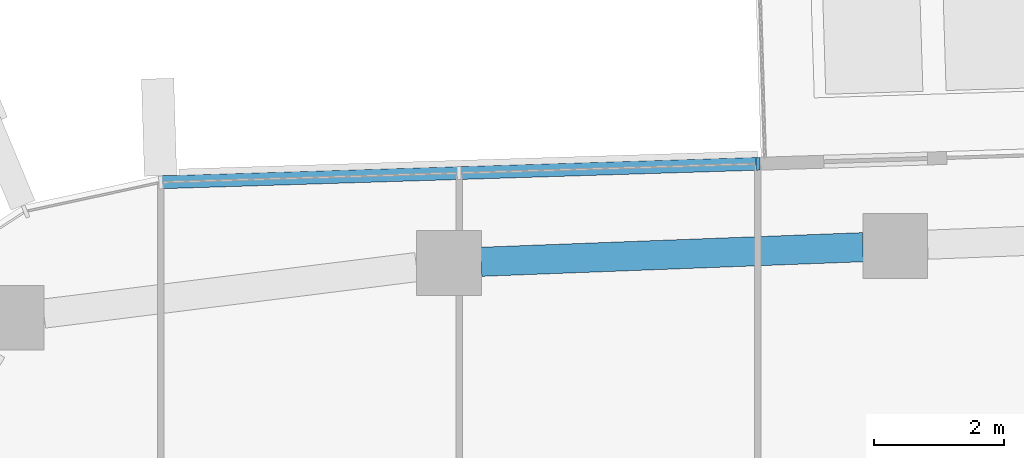
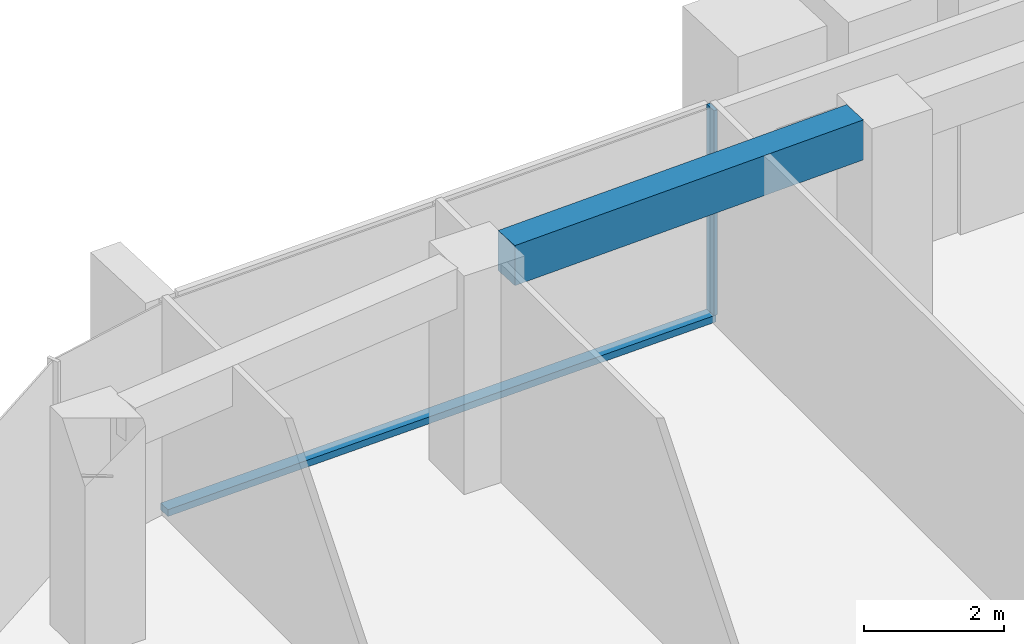
# One storey, part 7 of 24: 2 members, 1 beam, 1 element without a shape of its own.
"""IFC4 building model written with IfcOpenShell, lengths in metres."""

import ifcopenshell
import ifcopenshell.guid

model = None  # the IFC model being written
_history = None  # IfcOwnerHistory: only IFC2X3 demands one
_inside = {}  # id of a spatial element -> (the spatial element, [elements in it])
_under = {}  # id of a project, library or spatial element -> (it, [spatial elements below it])
_declared = {}  # id of a project -> (the project, [libraries it declares])
_typed = {}  # id of a type object -> (the type object, [elements of that type])
_made_of = {}  # id of a material, layer set ... -> (it, [elements and type objects made of it])


def new_model(schema):
    """Start an empty IFC model of exactly this schema.

    Asked for "IFC4X3", IfcOpenShell would pick the latest addendum, in which some entities
    have other attributes; the version numbers below select the first issue.
    IFC2X3 requires an IfcOwnerHistory on every rooted entity: one is made here for all.
    """
    global model, _history
    if schema == "IFC4X3":
        model = ifcopenshell.file(schema_version=(4, 3, 0, 0))
    else:
        model = ifcopenshell.file(schema=schema)
    _inside.clear()
    _under.clear()
    _declared.clear()
    _typed.clear()
    _made_of.clear()
    _history = None
    if model.schema == "IFC2X3":
        org = make("IfcOrganization", Name="unknown")
        user = make(
            "IfcPersonAndOrganization",
            ThePerson=make("IfcPerson", FamilyName="unknown"),
            TheOrganization=org,
        )
        app = make(
            "IfcApplication",
            ApplicationDeveloper=org,
            Version="unknown",
            ApplicationFullName="unknown",
            ApplicationIdentifier="unknown",
        )
        _history = make(
            "IfcOwnerHistory",
            OwningUser=user,
            OwningApplication=app,
            ChangeAction="ADDED",
            CreationDate=0,
        )
    return model


def make(cls, **values):
    """One entity of the class cls with the attributes given. An attribute that is None is left unset."""
    return model.create_entity(
        cls, **{name: value for name, value in values.items() if value is not None}
    )


def rooted(cls, **values):
    """An entity with a GlobalId (a new one), such as an element, a storey or a relation."""
    return make(cls, GlobalId=ifcopenshell.guid.new(), OwnerHistory=_history, **values)


def si_unit(unit_type, name, prefix=None):
    """IfcSIUnit, for example si_unit("LENGTHUNIT", "METRE", prefix="MILLI")."""
    return make("IfcSIUnit", UnitType=unit_type, Prefix=prefix, Name=name)


def assignment(units):
    """IfcUnitAssignment: the units of a project."""
    return None if units is None else make("IfcUnitAssignment", Units=units)


def point(xyz):
    """IfcCartesianPoint."""
    return None if xyz is None else make("IfcCartesianPoint", Coordinates=xyz)


def direction(xyz):
    """IfcDirection."""
    return None if xyz is None else make("IfcDirection", DirectionRatios=xyz)


def frame(location, z_axis=None, x_axis=None):
    """IfcAxis2Placement3D, a coordinate frame: its origin and axes. An axis left out is left unset."""
    return make(
        "IfcAxis2Placement3D",
        Location=point(location),
        Axis=direction(z_axis),
        RefDirection=direction(x_axis),
    )


def frame_2d(location, x_axis=None):
    """IfcAxis2Placement2D, a coordinate frame in the plane: its origin and x axis."""
    return make(
        "IfcAxis2Placement2D", Location=point(location), RefDirection=direction(x_axis)
    )


def origin():
    """The frame at (0, 0, 0) with its axes left unset."""
    return frame((0.0, 0.0, 0.0))


def origin_2d():
    """The frame at (0, 0) in the plane with its x axis left unset."""
    return frame_2d((0.0, 0.0))


def place(relative_to, where):
    """IfcLocalPlacement: puts the frame where relative to a parent placement (None: the world)."""
    return make(
        "IfcLocalPlacement", PlacementRelTo=relative_to, RelativePlacement=where
    )


def context(
    kind, dimensions, precision=None, world=None, true_north=None, identifier=None
):
    """IfcGeometricRepresentationContext, for example the 3D "Model" context."""
    return make(
        "IfcGeometricRepresentationContext",
        ContextIdentifier=identifier,
        ContextType=kind,
        CoordinateSpaceDimension=dimensions,
        Precision=precision,
        WorldCoordinateSystem=world,
        TrueNorth=true_north,
    )


def subcontext(parent, identifier, kind, view, scale=None):
    """IfcGeometricRepresentationSubContext, for example "Body" below "Model"."""
    return make(
        "IfcGeometricRepresentationSubContext",
        ContextIdentifier=identifier,
        ContextType=kind,
        ParentContext=parent,
        TargetScale=scale,
        TargetView=view,
    )


def project(units=None, contexts=None):
    """IfcProject with its units and contexts."""
    return rooted(
        "IfcProject",
        Name="project",
        RepresentationContexts=contexts,
        UnitsInContext=assignment(units),
    )


def spatial(cls, under=None, at=None, **own):
    """A site, building, storey or space (cls), placed at a placement, below another one or the project."""
    s = rooted(cls, ObjectPlacement=at, **own)
    if under is not None:
        _under.setdefault(under.id(), (under, []))[1].append(s)
    return s


def profile(cls, at=None, kind="AREA", **sizes):
    """A parametric profile (cls). Its sizes go by their IFC names, for example OverallWidth=200.0."""
    return make(cls, ProfileType=kind, Position=at, **sizes)


def rectangle(**sizes):
    """IfcRectangleProfileDef."""
    return profile("IfcRectangleProfileDef", **sizes)


def extrude(swept, where, along, depth):
    """IfcExtrudedAreaSolid: the profile swept, set in the frame where, extruded along a direction by depth."""
    return make(
        "IfcExtrudedAreaSolid",
        SweptArea=swept,
        Position=where,
        ExtrudedDirection=direction(along),
        Depth=depth,
    )


def shape(context_of_items, identifier, shape_type, items):
    """IfcShapeRepresentation: the items that make up one representation, for example the "Body"."""
    return make(
        "IfcShapeRepresentation",
        ContextOfItems=context_of_items,
        RepresentationIdentifier=identifier,
        RepresentationType=shape_type,
        Items=items,
    )


def material(Name=None, Category=None):
    """IfcMaterial."""
    return make("IfcMaterial", Name=Name, Category=Category)


def layer(
    of_material, thickness, ventilated=None, Name=None, Category=None, Priority=None
):
    """IfcMaterialLayer: one layer of a wall or slab, of a material (None: an air gap)."""
    return make(
        "IfcMaterialLayer",
        Material=of_material,
        LayerThickness=thickness,
        IsVentilated=ventilated,
        Name=Name,
        Category=Category,
        Priority=Priority,
    )


def layer_set(layers, Name=None):
    """IfcMaterialLayerSet."""
    return make("IfcMaterialLayerSet", MaterialLayers=layers, LayerSetName=Name)


def material_profile(
    of_material, cross_section, Name=None, Category=None, Priority=None
):
    """IfcMaterialProfile: a cross section and its material."""
    return make(
        "IfcMaterialProfile",
        Name=Name,
        Material=of_material,
        Profile=cross_section,
        Priority=Priority,
        Category=Category,
    )


def profile_set(profiles, Name=None, composite=None):
    """IfcMaterialProfileSet."""
    return make(
        "IfcMaterialProfileSet",
        Name=Name,
        MaterialProfiles=profiles,
        CompositeProfile=composite,
    )


def made_of(thing, what):
    """Note that an element or type object is made of a material, layer set ...; save() writes the relation."""
    if what is not None:
        _made_of.setdefault(what.id(), (what, []))[1].append(thing)
    return thing


def type_object(cls, material=None, **own):
    """A type object (cls), such as IfcWallType, which elements share."""
    return made_of(rooted(cls, **own), material)


def element(
    cls,
    number,
    at=None,
    inside=None,
    cuts=None,
    type_object=None,
    material=None,
    context=None,
    identifier="Body",
    shape_type=None,
    held_by="IfcProductDefinitionShape",
    body=None,
    shapes=None,
    **own,
):
    """One element of the class cls, such as IfcWall. Its Tag is "e" and its number.

    at: its placement. inside: the storey or other place that contains it. cuts: it is an
    opening in that element (IfcRelVoidsElement). A single representation is given by context,
    identifier, shape_type and body (its items); several are given by shapes. held_by: the class
    of the entity that holds the representations. save() writes the other relations.
    """
    e = rooted(cls, Tag="e%d" % number, ObjectPlacement=at, **own)
    if body is not None:
        shapes = [shape(context, identifier, shape_type, body)]
    if shapes is not None:
        e.Representation = make(held_by, Representations=shapes)
    if inside is not None:
        _inside.setdefault(inside.id(), (inside, []))[1].append(e)
    if cuts is not None:
        rooted(
            "IfcRelVoidsElement", RelatingBuildingElement=cuts, RelatedOpeningElement=e
        )
    if type_object is not None:
        _typed.setdefault(type_object.id(), (type_object, []))[1].append(e)
    return made_of(e, material)


def aggregate(whole, parts):
    """IfcRelAggregates: a whole, such as a stair, and the parts it consists of."""
    return rooted("IfcRelAggregates", RelatingObject=whole, RelatedObjects=parts)


def save(model, path):
    """Write the relations noted so far, then the file.

    IfcRelAggregates (storeys below a building ...), IfcRelContainedInSpatialStructure (elements
    in a storey), IfcRelDefinesByType, IfcRelAssociatesMaterial and IfcRelDeclares: one each for
    every whole, place, type object, material and project.
    """
    for whole, parts in _under.values():
        aggregate(whole, parts)
    for where, things in _inside.values():
        rooted(
            "IfcRelContainedInSpatialStructure",
            RelatedElements=things,
            RelatingStructure=where,
        )
    for kind, things in _typed.values():
        rooted("IfcRelDefinesByType", RelatedObjects=things, RelatingType=kind)
    for what, things in _made_of.values():
        rooted("IfcRelAssociatesMaterial", RelatedObjects=things, RelatingMaterial=what)
    for by, libraries in _declared.values():
        rooted("IfcRelDeclares", RelatingContext=by, RelatedDefinitions=libraries)
    model.write(path)


model = new_model("IFC4")

# Units and contexts
model_context = context("Model", 3, precision=1e-05, world=origin(), true_north=direction((0.0, 1.0)))
body_context = subcontext(model_context, "Body", "Model", "MODEL_VIEW")
ifc_project = project(units=[si_unit("LENGTHUNIT", "METRE"), si_unit("AREAUNIT", "SQUARE_METRE"), si_unit("VOLUMEUNIT", "CUBIC_METRE"), si_unit("PLANEANGLEUNIT", "RADIAN"), si_unit("MASSUNIT", "GRAM", prefix="KILO")], contexts=[model_context])

# Site, building, storey
site_placement = place(None, origin())
site = spatial("IfcSite", under=ifc_project, at=site_placement, CompositionType="ELEMENT")
building_placement = place(site_placement, origin())
building = spatial("IfcBuilding", under=site, at=building_placement, Name="Dongbaek Canopy Tower", CompositionType="ELEMENT")
storey_placement = place(building_placement, frame((0.0, 0.0, 344.60009765625)))
storey = spatial("IfcBuildingStorey", under=building, at=storey_placement, Name="L74", CompositionType="ELEMENT", Elevation=344.60009765625)

# Curtain wall, members
ifc_material_1 = material(Name="Aluminium 6063-T6 pale anodised", Category="aluminium")
ifc_layer = layer(ifc_material_1, 0.199951171875)
ifc_layer_set = layer_set([ifc_layer], Name="CW-1 unitised tower curtain wall")
curtain_wall_type = type_object("IfcCurtainWallType", Name="CW-1 unitised tower curtain wall", PredefinedType="NOTDEFINED", material=ifc_layer_set)
curtain_wall_placement = place(storey_placement, origin())
curtain_wall = element("IfcCurtainWall", 1, at=curtain_wall_placement, inside=storey, type_object=curtain_wall_type, Name="CW-1 curtain wall F1.1", PredefinedType="NOTDEFINED")
ifc_material_2 = material(Name="Aluminium 6063-T6 pale anodised", Category="aluminium")
ifc_material_profile_1 = material_profile(ifc_material_2, rectangle(XDim=0.199951171875, YDim=0.06005859375, at=origin_2d()), Name="CW-1 mullion 60 x 200")
ifc_profile_set_1 = profile_set([ifc_material_profile_1], Name="Aluminium 6063-T6 pale anodised")
member_type_1 = type_object("IfcMemberType", Name="CW-1 mullion 60 x 200", PredefinedType="MULLION", material=ifc_profile_set_1)
member_1_placement = place(storey_placement, frame((-3.536865234375, 28.696533203125, 0.119873046875), z_axis=(0.0, 0.0, 1.0), x_axis=(-0.031003432615, 0.999519278036, 0.0)))
member_1 = element("IfcMember", 2, at=member_1_placement, type_object=member_type_1, Name="CW-1 mullion F1.1.1", PredefinedType="MULLION", context=body_context, shape_type="SweptSolid", body=[
    extrude(rectangle(XDim=0.199951171875, YDim=0.06005859375, at=origin_2d()), origin(), (0.0, 0.0, 1.0), 3.580078125),
])
ifc_material_3 = material(Name="Aluminium 6063-T6 pale anodised", Category="aluminium")
ifc_material_profile_2 = material_profile(ifc_material_3, rectangle(XDim=0.199951171875, YDim=0.1201171875, at=origin_2d()), Name="CW-1 transom 120 x 200")
ifc_profile_set_2 = profile_set([ifc_material_profile_2], Name="Aluminium 6063-T6 pale anodised")
member_type_2 = type_object("IfcMemberType", Name="CW-1 transom 120 x 200", PredefinedType="USERDEFINED", material=ifc_profile_set_2)
member_2_placement = place(storey_placement, frame((-3.536865234375, 28.696533203125, 0.059814453125), z_axis=(-0.999519612405, -0.030992651029, 0.0), x_axis=(0.030992651029, -0.999519612405, 0.0)))
member_2 = element("IfcMember", 3, at=member_2_placement, type_object=member_type_2, Name="CW-1 transom F1.1.1", ObjectType="TRANSOM", PredefinedType="USERDEFINED", context=body_context, shape_type="SweptSolid", body=[
    extrude(rectangle(XDim=0.199951171875, YDim=0.1201171875, at=origin_2d()), origin(), (0.0, 0.0, 1.0), 9.224365234375),
])
aggregate(curtain_wall, [member_1, member_2])

# Beam
ifc_material_4 = material(Name="Concrete C60", Category="concrete")
ifc_material_profile_3 = material_profile(ifc_material_4, rectangle(XDim=0.449951171875, YDim=0.699951171875, at=origin_2d()), Name="RC EDGE BEAM 450x700 C60")
ifc_profile_set_3 = profile_set([ifc_material_profile_3], Name="Concrete C60")
beam_type = type_object("IfcBeamType", Name="RC EDGE BEAM 450x700 C60", PredefinedType="BEAM", material=ifc_profile_set_3)
beam_placement = place(storey_placement, frame((-7.80908203125, 27.18310546875, 3.469970703125), z_axis=(0.999267644391, 0.038264538061, 0.0), x_axis=(-0.038264538061, 0.999267644391, 0.0)))
element("IfcBeam", 4, at=beam_placement, inside=storey, type_object=beam_type, Name="EDGEBEAM:L74:14", PredefinedType="BEAM", context=body_context, shape_type="SweptSolid", body=[
    extrude(rectangle(XDim=0.449951171875, YDim=0.699951171875, at=origin_2d()), origin(), (0.0, 0.0, 1.0), 5.8955078125),
])

save(model, "model.ifc")
